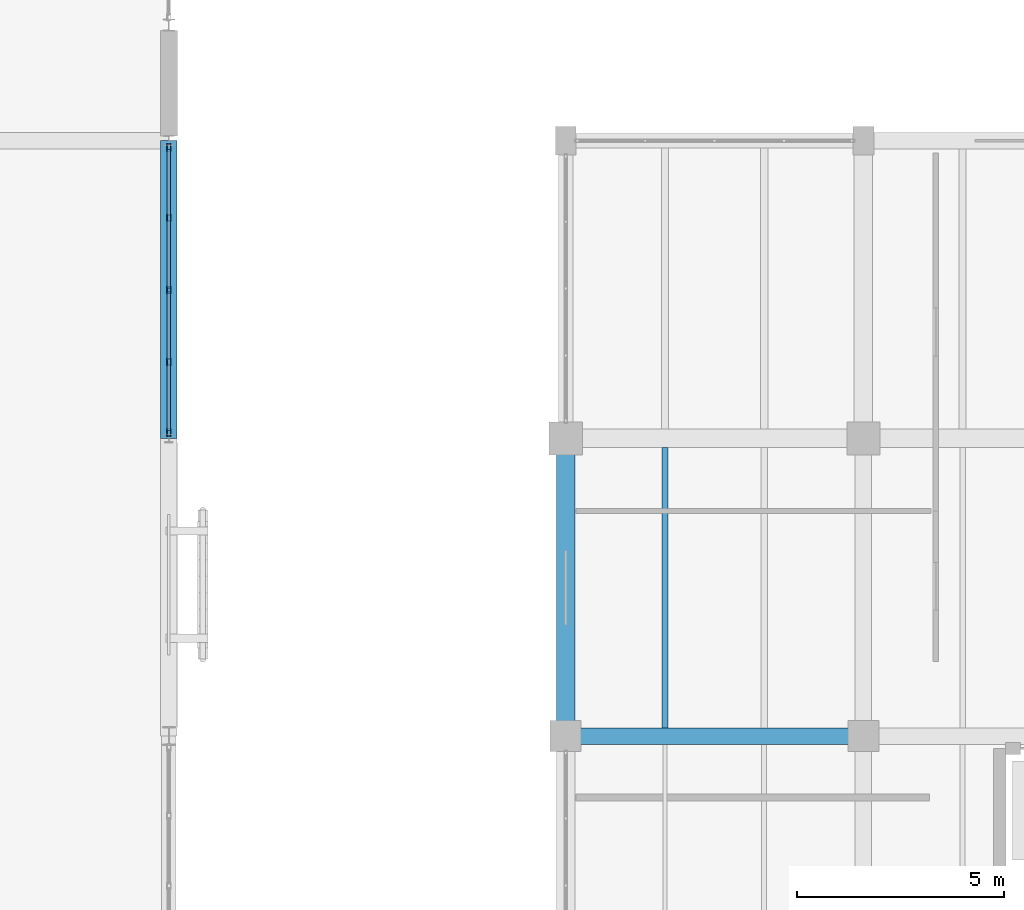
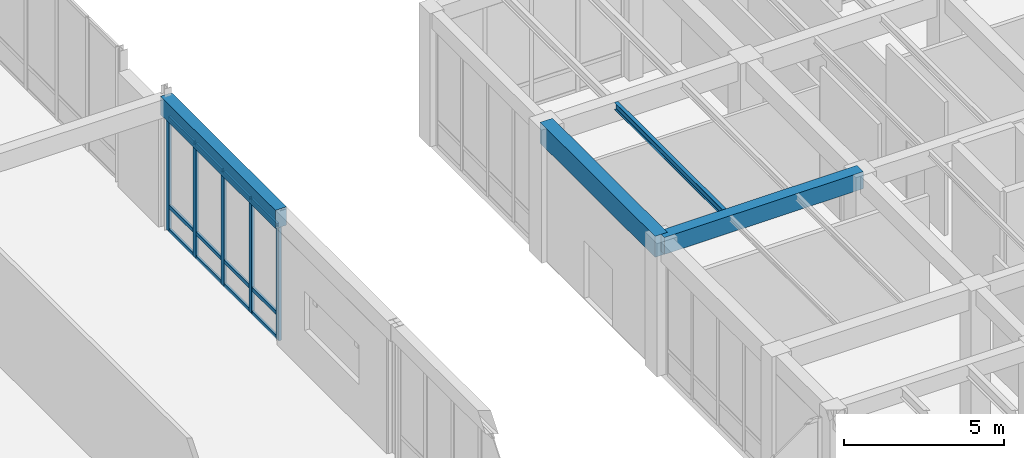
# One storey, part 83 of 169: 17 members, 4 beams, 1 element without a shape of its own.
"""IFC4 building model written with IfcOpenShell, lengths in metres."""

import ifcopenshell
import ifcopenshell.guid

model = None  # the IFC model being written
_history = None  # IfcOwnerHistory: only IFC2X3 demands one
_inside = {}  # id of a spatial element -> (the spatial element, [elements in it])
_under = {}  # id of a project, library or spatial element -> (it, [spatial elements below it])
_declared = {}  # id of a project -> (the project, [libraries it declares])
_typed = {}  # id of a type object -> (the type object, [elements of that type])
_made_of = {}  # id of a material, layer set ... -> (it, [elements and type objects made of it])


def new_model(schema):
    """Start an empty IFC model of exactly this schema.

    Asked for "IFC4X3", IfcOpenShell would pick the latest addendum, in which some entities
    have other attributes; the version numbers below select the first issue.
    IFC2X3 requires an IfcOwnerHistory on every rooted entity: one is made here for all.
    """
    global model, _history
    if schema == "IFC4X3":
        model = ifcopenshell.file(schema_version=(4, 3, 0, 0))
    else:
        model = ifcopenshell.file(schema=schema)
    _inside.clear()
    _under.clear()
    _declared.clear()
    _typed.clear()
    _made_of.clear()
    _history = None
    if model.schema == "IFC2X3":
        org = make("IfcOrganization", Name="unknown")
        user = make(
            "IfcPersonAndOrganization",
            ThePerson=make("IfcPerson", FamilyName="unknown"),
            TheOrganization=org,
        )
        app = make(
            "IfcApplication",
            ApplicationDeveloper=org,
            Version="unknown",
            ApplicationFullName="unknown",
            ApplicationIdentifier="unknown",
        )
        _history = make(
            "IfcOwnerHistory",
            OwningUser=user,
            OwningApplication=app,
            ChangeAction="ADDED",
            CreationDate=0,
        )
    return model


def make(cls, **values):
    """One entity of the class cls with the attributes given. An attribute that is None is left unset."""
    return model.create_entity(
        cls, **{name: value for name, value in values.items() if value is not None}
    )


def rooted(cls, **values):
    """An entity with a GlobalId (a new one), such as an element, a storey or a relation."""
    return make(cls, GlobalId=ifcopenshell.guid.new(), OwnerHistory=_history, **values)


def si_unit(unit_type, name, prefix=None):
    """IfcSIUnit, for example si_unit("LENGTHUNIT", "METRE", prefix="MILLI")."""
    return make("IfcSIUnit", UnitType=unit_type, Prefix=prefix, Name=name)


def assignment(units):
    """IfcUnitAssignment: the units of a project."""
    return None if units is None else make("IfcUnitAssignment", Units=units)


def point(xyz):
    """IfcCartesianPoint."""
    return None if xyz is None else make("IfcCartesianPoint", Coordinates=xyz)


def direction(xyz):
    """IfcDirection."""
    return None if xyz is None else make("IfcDirection", DirectionRatios=xyz)


def frame(location, z_axis=None, x_axis=None):
    """IfcAxis2Placement3D, a coordinate frame: its origin and axes. An axis left out is left unset."""
    return make(
        "IfcAxis2Placement3D",
        Location=point(location),
        Axis=direction(z_axis),
        RefDirection=direction(x_axis),
    )


def frame_2d(location, x_axis=None):
    """IfcAxis2Placement2D, a coordinate frame in the plane: its origin and x axis."""
    return make(
        "IfcAxis2Placement2D", Location=point(location), RefDirection=direction(x_axis)
    )


def origin():
    """The frame at (0, 0, 0) with its axes left unset."""
    return frame((0.0, 0.0, 0.0))


def origin_2d():
    """The frame at (0, 0) in the plane with its x axis left unset."""
    return frame_2d((0.0, 0.0))


def place(relative_to, where):
    """IfcLocalPlacement: puts the frame where relative to a parent placement (None: the world)."""
    return make(
        "IfcLocalPlacement", PlacementRelTo=relative_to, RelativePlacement=where
    )


def context(
    kind, dimensions, precision=None, world=None, true_north=None, identifier=None
):
    """IfcGeometricRepresentationContext, for example the 3D "Model" context."""
    return make(
        "IfcGeometricRepresentationContext",
        ContextIdentifier=identifier,
        ContextType=kind,
        CoordinateSpaceDimension=dimensions,
        Precision=precision,
        WorldCoordinateSystem=world,
        TrueNorth=true_north,
    )


def subcontext(parent, identifier, kind, view, scale=None):
    """IfcGeometricRepresentationSubContext, for example "Body" below "Model"."""
    return make(
        "IfcGeometricRepresentationSubContext",
        ContextIdentifier=identifier,
        ContextType=kind,
        ParentContext=parent,
        TargetScale=scale,
        TargetView=view,
    )


def project(units=None, contexts=None):
    """IfcProject with its units and contexts."""
    return rooted(
        "IfcProject",
        Name="project",
        RepresentationContexts=contexts,
        UnitsInContext=assignment(units),
    )


def spatial(cls, under=None, at=None, **own):
    """A site, building, storey or space (cls), placed at a placement, below another one or the project."""
    s = rooted(cls, ObjectPlacement=at, **own)
    if under is not None:
        _under.setdefault(under.id(), (under, []))[1].append(s)
    return s


def profile(cls, at=None, kind="AREA", **sizes):
    """A parametric profile (cls). Its sizes go by their IFC names, for example OverallWidth=200.0."""
    return make(cls, ProfileType=kind, Position=at, **sizes)


def rectangle(**sizes):
    """IfcRectangleProfileDef."""
    return profile("IfcRectangleProfileDef", **sizes)


def hollow_rectangle(**sizes):
    """IfcRectangleHollowProfileDef."""
    return profile("IfcRectangleHollowProfileDef", **sizes)


def i_section(**sizes):
    """IfcIShapeProfileDef."""
    return profile("IfcIShapeProfileDef", **sizes)


def extrude(swept, where, along, depth):
    """IfcExtrudedAreaSolid: the profile swept, set in the frame where, extruded along a direction by depth."""
    return make(
        "IfcExtrudedAreaSolid",
        SweptArea=swept,
        Position=where,
        ExtrudedDirection=direction(along),
        Depth=depth,
    )


def shape(context_of_items, identifier, shape_type, items):
    """IfcShapeRepresentation: the items that make up one representation, for example the "Body"."""
    return make(
        "IfcShapeRepresentation",
        ContextOfItems=context_of_items,
        RepresentationIdentifier=identifier,
        RepresentationType=shape_type,
        Items=items,
    )


def material(Name=None, Category=None):
    """IfcMaterial."""
    return make("IfcMaterial", Name=Name, Category=Category)


def layer(
    of_material, thickness, ventilated=None, Name=None, Category=None, Priority=None
):
    """IfcMaterialLayer: one layer of a wall or slab, of a material (None: an air gap)."""
    return make(
        "IfcMaterialLayer",
        Material=of_material,
        LayerThickness=thickness,
        IsVentilated=ventilated,
        Name=Name,
        Category=Category,
        Priority=Priority,
    )


def layer_set(layers, Name=None):
    """IfcMaterialLayerSet."""
    return make("IfcMaterialLayerSet", MaterialLayers=layers, LayerSetName=Name)


def material_profile(
    of_material, cross_section, Name=None, Category=None, Priority=None
):
    """IfcMaterialProfile: a cross section and its material."""
    return make(
        "IfcMaterialProfile",
        Name=Name,
        Material=of_material,
        Profile=cross_section,
        Priority=Priority,
        Category=Category,
    )


def profile_set(profiles, Name=None, composite=None):
    """IfcMaterialProfileSet."""
    return make(
        "IfcMaterialProfileSet",
        Name=Name,
        MaterialProfiles=profiles,
        CompositeProfile=composite,
    )


def made_of(thing, what):
    """Note that an element or type object is made of a material, layer set ...; save() writes the relation."""
    if what is not None:
        _made_of.setdefault(what.id(), (what, []))[1].append(thing)
    return thing


def type_object(cls, material=None, **own):
    """A type object (cls), such as IfcWallType, which elements share."""
    return made_of(rooted(cls, **own), material)


def element(
    cls,
    number,
    at=None,
    inside=None,
    cuts=None,
    type_object=None,
    material=None,
    context=None,
    identifier="Body",
    shape_type=None,
    held_by="IfcProductDefinitionShape",
    body=None,
    shapes=None,
    **own,
):
    """One element of the class cls, such as IfcWall. Its Tag is "e" and its number.

    at: its placement. inside: the storey or other place that contains it. cuts: it is an
    opening in that element (IfcRelVoidsElement). A single representation is given by context,
    identifier, shape_type and body (its items); several are given by shapes. held_by: the class
    of the entity that holds the representations. save() writes the other relations.
    """
    e = rooted(cls, Tag="e%d" % number, ObjectPlacement=at, **own)
    if body is not None:
        shapes = [shape(context, identifier, shape_type, body)]
    if shapes is not None:
        e.Representation = make(held_by, Representations=shapes)
    if inside is not None:
        _inside.setdefault(inside.id(), (inside, []))[1].append(e)
    if cuts is not None:
        rooted(
            "IfcRelVoidsElement", RelatingBuildingElement=cuts, RelatedOpeningElement=e
        )
    if type_object is not None:
        _typed.setdefault(type_object.id(), (type_object, []))[1].append(e)
    return made_of(e, material)


def aggregate(whole, parts):
    """IfcRelAggregates: a whole, such as a stair, and the parts it consists of."""
    return rooted("IfcRelAggregates", RelatingObject=whole, RelatedObjects=parts)


def save(model, path):
    """Write the relations noted so far, then the file.

    IfcRelAggregates (storeys below a building ...), IfcRelContainedInSpatialStructure (elements
    in a storey), IfcRelDefinesByType, IfcRelAssociatesMaterial and IfcRelDeclares: one each for
    every whole, place, type object, material and project.
    """
    for whole, parts in _under.values():
        aggregate(whole, parts)
    for where, things in _inside.values():
        rooted(
            "IfcRelContainedInSpatialStructure",
            RelatedElements=things,
            RelatingStructure=where,
        )
    for kind, things in _typed.values():
        rooted("IfcRelDefinesByType", RelatedObjects=things, RelatingType=kind)
    for what, things in _made_of.values():
        rooted("IfcRelAssociatesMaterial", RelatedObjects=things, RelatingMaterial=what)
    for by, libraries in _declared.values():
        rooted("IfcRelDeclares", RelatingContext=by, RelatedDefinitions=libraries)
    model.write(path)


model = new_model("IFC4")

# Units and contexts
model_context = context("Model", 3, precision=1e-05, world=origin(), true_north=direction((0.0, 1.0)))
body_context = subcontext(model_context, "Body", "Model", "MODEL_VIEW")
ifc_project = project(units=[si_unit("LENGTHUNIT", "METRE"), si_unit("AREAUNIT", "SQUARE_METRE"), si_unit("VOLUMEUNIT", "CUBIC_METRE"), si_unit("PLANEANGLEUNIT", "RADIAN"), si_unit("MASSUNIT", "GRAM", prefix="KILO")], contexts=[model_context])

# Site, building, storey
site_placement = place(None, origin())
site = spatial("IfcSite", under=ifc_project, at=site_placement, CompositionType="ELEMENT")
building_placement = place(site_placement, origin())
building = spatial("IfcBuilding", under=site, at=building_placement, Name="Mazaris Harbour Polytechnic", CompositionType="ELEMENT")
storey_placement = place(building_placement, origin())
storey = spatial("IfcBuildingStorey", under=building, at=storey_placement, Name="L00", CompositionType="ELEMENT", Elevation=0.0)

# Curtain wall, members
ifc_material_1 = material(Name="Anodised Bronze Aluminium and Low-E Glass", Category="aluminium")
ifc_layer = layer(ifc_material_1, 0.14990234375, Name="Anodised Bronze Aluminium and Low-E Glass")
ifc_layer_set = layer_set([ifc_layer], Name="Anodised Bronze Aluminium and Low-E Glass")
curtain_wall_type = type_object("IfcCurtainWallType", Name="Workshop Clerestory Curtain Wall", PredefinedType="NOTDEFINED", material=ifc_layer_set)
curtain_wall_placement = place(storey_placement, origin())
curtain_wall = element("IfcCurtainWall", 1, at=curtain_wall_placement, inside=storey, type_object=curtain_wall_type, Name="V1 L00 Curtain Wall 11", PredefinedType="NOTDEFINED")
ifc_material_2 = material(Name="Anodised Bronze Steel S355", Category="steel")
ifc_material_profile_1 = material_profile(ifc_material_2, hollow_rectangle(XDim=0.10009765625, YDim=0.179931640625, WallThickness=0.008056640625, at=origin_2d()), Name="RHS 100x180x8.0")
ifc_profile_set_1 = profile_set([ifc_material_profile_1], Name="Anodised Bronze Steel S355")
member_type_1 = type_object("IfcMemberType", Name="Curtain Mullion RHS100x180", PredefinedType="MULLION", material=ifc_profile_set_1)
member_1_placement = place(storey_placement, frame((112.800048828125, 107.8330078125, 0.0), z_axis=(0.0, 0.0, 1.0), x_axis=(1.0, 0.0, 0.0)))
member_1 = element("IfcMember", 2, at=member_1_placement, type_object=member_type_1, Name="CW-04 mullion 1", PredefinedType="MULLION", context=body_context, shape_type="SweptSolid", body=[
    extrude(hollow_rectangle(XDim=0.10009765625, YDim=0.179931640625, WallThickness=0.008056640625, at=origin_2d()), origin(), (0.0, 0.0, 1.0), 4.3701171875),
])
member_2_placement = place(storey_placement, frame((112.800048828125, 106.136474609375, 0.0), z_axis=(0.0, 0.0, 1.0), x_axis=(1.0, 0.0, 0.0)))
member_2 = element("IfcMember", 3, at=member_2_placement, type_object=member_type_1, Name="CW-04 mullion 2", PredefinedType="MULLION", context=body_context, shape_type="SweptSolid", body=[
    extrude(hollow_rectangle(XDim=0.10009765625, YDim=0.179931640625, WallThickness=0.008056640625, at=origin_2d()), origin(), (0.0, 0.0, 1.0), 4.3701171875),
])
member_3_placement = place(storey_placement, frame((112.800048828125, 104.389892578125, 0.0), z_axis=(0.0, 0.0, 1.0), x_axis=(1.0, 0.0, 0.0)))
member_3 = element("IfcMember", 4, at=member_3_placement, type_object=member_type_1, Name="CW-04 mullion 3", PredefinedType="MULLION", context=body_context, shape_type="SweptSolid", body=[
    extrude(hollow_rectangle(XDim=0.10009765625, YDim=0.179931640625, WallThickness=0.008056640625, at=origin_2d()), origin(), (0.0, 0.0, 1.0), 4.3701171875),
])
member_4_placement = place(storey_placement, frame((112.800048828125, 102.6435546875, 0.0), z_axis=(0.0, 0.0, 1.0), x_axis=(1.0, 0.0, 0.0)))
member_4 = element("IfcMember", 5, at=member_4_placement, type_object=member_type_1, Name="CW-04 mullion 4", PredefinedType="MULLION", context=body_context, shape_type="SweptSolid", body=[
    extrude(hollow_rectangle(XDim=0.10009765625, YDim=0.179931640625, WallThickness=0.008056640625, at=origin_2d()), origin(), (0.0, 0.0, 1.0), 4.3701171875),
])
member_5_placement = place(storey_placement, frame((112.800048828125, 100.947021484375, 0.0), z_axis=(0.0, 0.0, 1.0), x_axis=(1.0, 0.0, 0.0)))
member_5 = element("IfcMember", 6, at=member_5_placement, type_object=member_type_1, Name="CW-04 mullion 5", PredefinedType="MULLION", context=body_context, shape_type="SweptSolid", body=[
    extrude(hollow_rectangle(XDim=0.10009765625, YDim=0.179931640625, WallThickness=0.008056640625, at=origin_2d()), origin(), (0.0, 0.0, 1.0), 4.3701171875),
])
ifc_material_3 = material(Name="Anodised Bronze Steel S355", Category="steel")
ifc_material_profile_2 = material_profile(ifc_material_3, hollow_rectangle(XDim=0.080078125, YDim=0.139892578125, WallThickness=0.00634765625, at=origin_2d()), Name="RHS 80x140x6.3")
ifc_profile_set_2 = profile_set([ifc_material_profile_2], Name="Anodised Bronze Steel S355")
member_type_2 = type_object("IfcMemberType", Name="Curtain Transom RHS80x140", PredefinedType="USERDEFINED", material=ifc_profile_set_2)
member_6_placement = place(storey_placement, frame((112.800048828125, 107.782958984375, 0.0400390625), z_axis=(0.0, -1.0, 0.0), x_axis=(1.0, 0.0, 0.0)))
member_6 = element("IfcMember", 7, at=member_6_placement, type_object=member_type_2, Name="CW-04 transom 1.1", ObjectType="TRANSOM", PredefinedType="USERDEFINED", context=body_context, shape_type="SweptSolid", body=[
    extrude(hollow_rectangle(XDim=0.080078125, YDim=0.139892578125, WallThickness=0.00634765625, at=origin_2d()), origin(), (0.0, 0.0, 1.0), 1.596435546875),
])
member_7_placement = place(storey_placement, frame((112.800048828125, 107.782958984375, 0.949951171875), z_axis=(0.0, -1.0, 0.0), x_axis=(1.0, 0.0, 0.0)))
member_7 = element("IfcMember", 8, at=member_7_placement, type_object=member_type_2, Name="CW-04 transom 1.2", ObjectType="TRANSOM", PredefinedType="USERDEFINED", context=body_context, shape_type="SweptSolid", body=[
    extrude(hollow_rectangle(XDim=0.080078125, YDim=0.139892578125, WallThickness=0.00634765625, at=origin_2d()), origin(), (0.0, 0.0, 1.0), 1.596435546875),
])
member_8_placement = place(storey_placement, frame((112.800048828125, 107.782958984375, 4.330078125), z_axis=(0.0, -1.0, 0.0), x_axis=(1.0, 0.0, 0.0)))
member_8 = element("IfcMember", 9, at=member_8_placement, type_object=member_type_2, Name="CW-04 transom 1.3", ObjectType="TRANSOM", PredefinedType="USERDEFINED", context=body_context, shape_type="SweptSolid", body=[
    extrude(hollow_rectangle(XDim=0.080078125, YDim=0.139892578125, WallThickness=0.00634765625, at=origin_2d()), origin(), (0.0, 0.0, 1.0), 1.596435546875),
])
member_9_placement = place(storey_placement, frame((112.800048828125, 106.08642578125, 0.0400390625), z_axis=(0.0, -1.0, 0.0), x_axis=(1.0, 0.0, 0.0)))
member_9 = element("IfcMember", 10, at=member_9_placement, type_object=member_type_2, Name="CW-04 transom 2.1", ObjectType="TRANSOM", PredefinedType="USERDEFINED", context=body_context, shape_type="SweptSolid", body=[
    extrude(hollow_rectangle(XDim=0.080078125, YDim=0.139892578125, WallThickness=0.00634765625, at=origin_2d()), origin(), (0.0, 0.0, 1.0), 1.646484375),
])
member_10_placement = place(storey_placement, frame((112.800048828125, 106.08642578125, 0.949951171875), z_axis=(0.0, -1.0, 0.0), x_axis=(1.0, 0.0, 0.0)))
member_10 = element("IfcMember", 11, at=member_10_placement, type_object=member_type_2, Name="CW-04 transom 2.2", ObjectType="TRANSOM", PredefinedType="USERDEFINED", context=body_context, shape_type="SweptSolid", body=[
    extrude(hollow_rectangle(XDim=0.080078125, YDim=0.139892578125, WallThickness=0.00634765625, at=origin_2d()), origin(), (0.0, 0.0, 1.0), 1.646484375),
])
member_11_placement = place(storey_placement, frame((112.800048828125, 106.08642578125, 4.330078125), z_axis=(0.0, -1.0, 0.0), x_axis=(1.0, 0.0, 0.0)))
member_11 = element("IfcMember", 12, at=member_11_placement, type_object=member_type_2, Name="CW-04 transom 2.3", ObjectType="TRANSOM", PredefinedType="USERDEFINED", context=body_context, shape_type="SweptSolid", body=[
    extrude(hollow_rectangle(XDim=0.080078125, YDim=0.139892578125, WallThickness=0.00634765625, at=origin_2d()), origin(), (0.0, 0.0, 1.0), 1.646484375),
])
member_12_placement = place(storey_placement, frame((112.800048828125, 104.340087890625, 0.0400390625), z_axis=(0.0, -1.0, 0.0), x_axis=(1.0, 0.0, 0.0)))
member_12 = element("IfcMember", 13, at=member_12_placement, type_object=member_type_2, Name="CW-04 transom 3.1", ObjectType="TRANSOM", PredefinedType="USERDEFINED", context=body_context, shape_type="SweptSolid", body=[
    extrude(hollow_rectangle(XDim=0.080078125, YDim=0.139892578125, WallThickness=0.00634765625, at=origin_2d()), origin(), (0.0, 0.0, 1.0), 1.646484375),
])
member_13_placement = place(storey_placement, frame((112.800048828125, 104.340087890625, 0.949951171875), z_axis=(0.0, -1.0, 0.0), x_axis=(1.0, 0.0, 0.0)))
member_13 = element("IfcMember", 14, at=member_13_placement, type_object=member_type_2, Name="CW-04 transom 3.2", ObjectType="TRANSOM", PredefinedType="USERDEFINED", context=body_context, shape_type="SweptSolid", body=[
    extrude(hollow_rectangle(XDim=0.080078125, YDim=0.139892578125, WallThickness=0.00634765625, at=origin_2d()), origin(), (0.0, 0.0, 1.0), 1.646484375),
])
member_14_placement = place(storey_placement, frame((112.800048828125, 104.340087890625, 4.330078125), z_axis=(0.0, -1.0, 0.0), x_axis=(1.0, 0.0, 0.0)))
member_14 = element("IfcMember", 15, at=member_14_placement, type_object=member_type_2, Name="CW-04 transom 3.3", ObjectType="TRANSOM", PredefinedType="USERDEFINED", context=body_context, shape_type="SweptSolid", body=[
    extrude(hollow_rectangle(XDim=0.080078125, YDim=0.139892578125, WallThickness=0.00634765625, at=origin_2d()), origin(), (0.0, 0.0, 1.0), 1.646484375),
])
member_15_placement = place(storey_placement, frame((112.800048828125, 102.593505859375, 0.0400390625), z_axis=(0.0, -1.0, 0.0), x_axis=(1.0, 0.0, 0.0)))
member_15 = element("IfcMember", 16, at=member_15_placement, type_object=member_type_2, Name="CW-04 transom 4.1", ObjectType="TRANSOM", PredefinedType="USERDEFINED", context=body_context, shape_type="SweptSolid", body=[
    extrude(hollow_rectangle(XDim=0.080078125, YDim=0.139892578125, WallThickness=0.00634765625, at=origin_2d()), origin(), (0.0, 0.0, 1.0), 1.596435546875),
])
member_16_placement = place(storey_placement, frame((112.800048828125, 102.593505859375, 0.949951171875), z_axis=(0.0, -1.0, 0.0), x_axis=(1.0, 0.0, 0.0)))
member_16 = element("IfcMember", 17, at=member_16_placement, type_object=member_type_2, Name="CW-04 transom 4.2", ObjectType="TRANSOM", PredefinedType="USERDEFINED", context=body_context, shape_type="SweptSolid", body=[
    extrude(hollow_rectangle(XDim=0.080078125, YDim=0.139892578125, WallThickness=0.00634765625, at=origin_2d()), origin(), (0.0, 0.0, 1.0), 1.596435546875),
])
member_17_placement = place(storey_placement, frame((112.800048828125, 102.593505859375, 4.330078125), z_axis=(0.0, -1.0, 0.0), x_axis=(1.0, 0.0, 0.0)))
member_17 = element("IfcMember", 18, at=member_17_placement, type_object=member_type_2, Name="CW-04 transom 4.3", ObjectType="TRANSOM", PredefinedType="USERDEFINED", context=body_context, shape_type="SweptSolid", body=[
    extrude(hollow_rectangle(XDim=0.080078125, YDim=0.139892578125, WallThickness=0.00634765625, at=origin_2d()), origin(), (0.0, 0.0, 1.0), 1.596435546875),
])
aggregate(curtain_wall, [member_1, member_2, member_3, member_4, member_5, member_6, member_7, member_8, member_9, member_10, member_11, member_12, member_13, member_14, member_15, member_16, member_17])

# Beams
ifc_material_4 = material(Name="Concrete C35/45", Category="concrete")
ifc_material_profile_3 = material_profile(ifc_material_4, rectangle(XDim=0.39990234375, YDim=0.64990234375, at=origin_2d()), Name="RECT400x650")
ifc_profile_set_3 = profile_set([ifc_material_profile_3], Name="Concrete C35/45")
beam_type_1 = type_object("IfcBeamType", Name="RC Girder 400x650", PredefinedType="BEAM", material=ifc_profile_set_3)
beam_1_placement = place(storey_placement, frame((122.39990234375, 93.60009765625, 4.77490234375), z_axis=(1.0, 0.0, 0.0), x_axis=(0.0, 1.0, 0.0)))
element("IfcBeam", 19, at=beam_1_placement, inside=storey, type_object=beam_type_1, Name="V5 L00 Girder 2736", PredefinedType="BEAM", context=body_context, shape_type="SweptSolid", body=[
    extrude(rectangle(XDim=0.39990234375, YDim=0.64990234375, at=origin_2d()), origin(), (0.0, 0.0, 1.0), 7.2001953125),
])
ifc_material_5 = material(Name="Concrete C35/45", Category="concrete")
ifc_material_profile_4 = material_profile(ifc_material_5, rectangle(XDim=0.39990234375, YDim=0.699951171875, at=origin_2d()), Name="RECT400x700")
ifc_profile_set_4 = profile_set([ifc_material_profile_4], Name="Concrete C35/45")
beam_type_2 = type_object("IfcBeamType", Name="RC Girder 400x700 Exterior", PredefinedType="BEAM", material=ifc_profile_set_4)
beam_2_placement = place(storey_placement, frame((112.800048828125, 100.800048828125, 4.72998046875), z_axis=(0.0, 1.0, 0.0), x_axis=(-1.0, 0.0, 0.0)))
element("IfcBeam", 20, at=beam_2_placement, inside=storey, type_object=beam_type_2, Name="V1 L00 Tie Girder 222", PredefinedType="BEAM", context=body_context, shape_type="SweptSolid", body=[
    extrude(rectangle(XDim=0.39990234375, YDim=0.699951171875, at=origin_2d()), origin(), (0.0, 0.0, 1.0), 7.199951171875),
])
ifc_material_6 = material(Name="Concrete C40/50", Category="concrete")
ifc_material_profile_5 = material_profile(ifc_material_6, rectangle(XDim=0.449951171875, YDim=0.800048828125, at=origin_2d()), Name="RECT450x800")
ifc_profile_set_5 = profile_set([ifc_material_profile_5], Name="Concrete C40/50")
beam_type_3 = type_object("IfcBeamType", Name="RC Girder 450x800 Exterior", PredefinedType="BEAM", material=ifc_profile_set_5)
beam_3_placement = place(storey_placement, frame((122.39990234375, 93.60009765625, 4.699951171875), z_axis=(0.0, 1.0, 0.0), x_axis=(-1.0, 0.0, 0.0)))
element("IfcBeam", 21, at=beam_3_placement, inside=storey, type_object=beam_type_3, Name="V5 L00 Tie Girder 2764", PredefinedType="BEAM", context=body_context, shape_type="SweptSolid", body=[
    extrude(rectangle(XDim=0.449951171875, YDim=0.800048828125, at=origin_2d()), origin(), (0.0, 0.0, 1.0), 7.199951171875),
])
ifc_material_7 = material(Name="Steel S355", Category="steel")
ifc_material_profile_6 = material_profile(ifc_material_7, i_section(OverallWidth=0.135009765625, OverallDepth=0.27001953125, WebThickness=0.006591796875, FlangeThickness=0.01025390625, FilletRadius=0.014892578125, at=origin_2d()), Name="IPE 270")
ifc_profile_set_6 = profile_set([ifc_material_profile_6], Name="Steel S355")
beam_type_4 = type_object("IfcBeamType", Name="Steel Joist IPE270", PredefinedType="JOIST", material=ifc_profile_set_6)
beam_4_placement = place(storey_placement, frame((124.800048828125, 93.800048828125, 4.965087890625), z_axis=(0.0, 1.0, 0.0), x_axis=(-1.0, 0.0, 0.0)))
element("IfcBeam", 22, at=beam_4_placement, inside=storey, type_object=beam_type_4, Name="V5 L00 Floor Joist 2830", PredefinedType="JOIST", context=body_context, shape_type="SweptSolid", body=[
    extrude(i_section(OverallWidth=0.135009765625, OverallDepth=0.27001953125, WebThickness=0.006591796875, FlangeThickness=0.01025390625, FilletRadius=0.014892578125, at=origin_2d()), origin(), (0.0, 0.0, 1.0), 6.77490234375),
])

save(model, "model.ifc")
